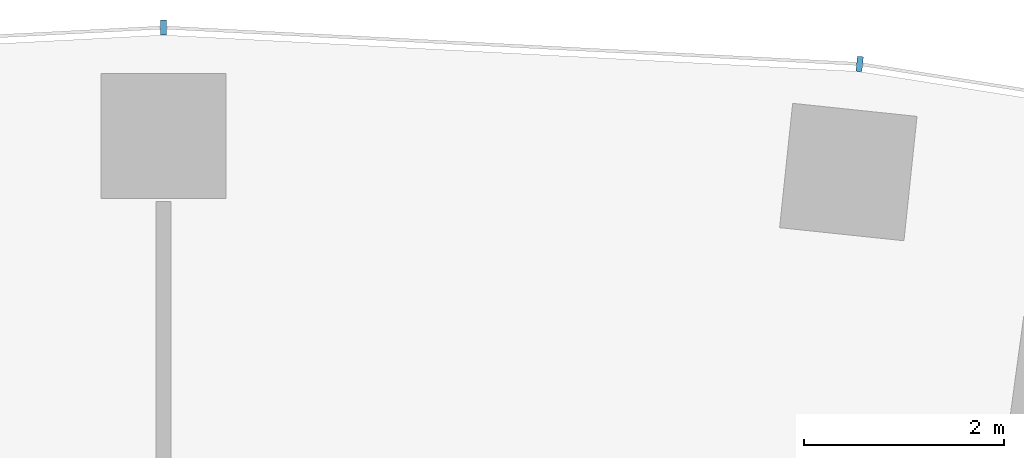
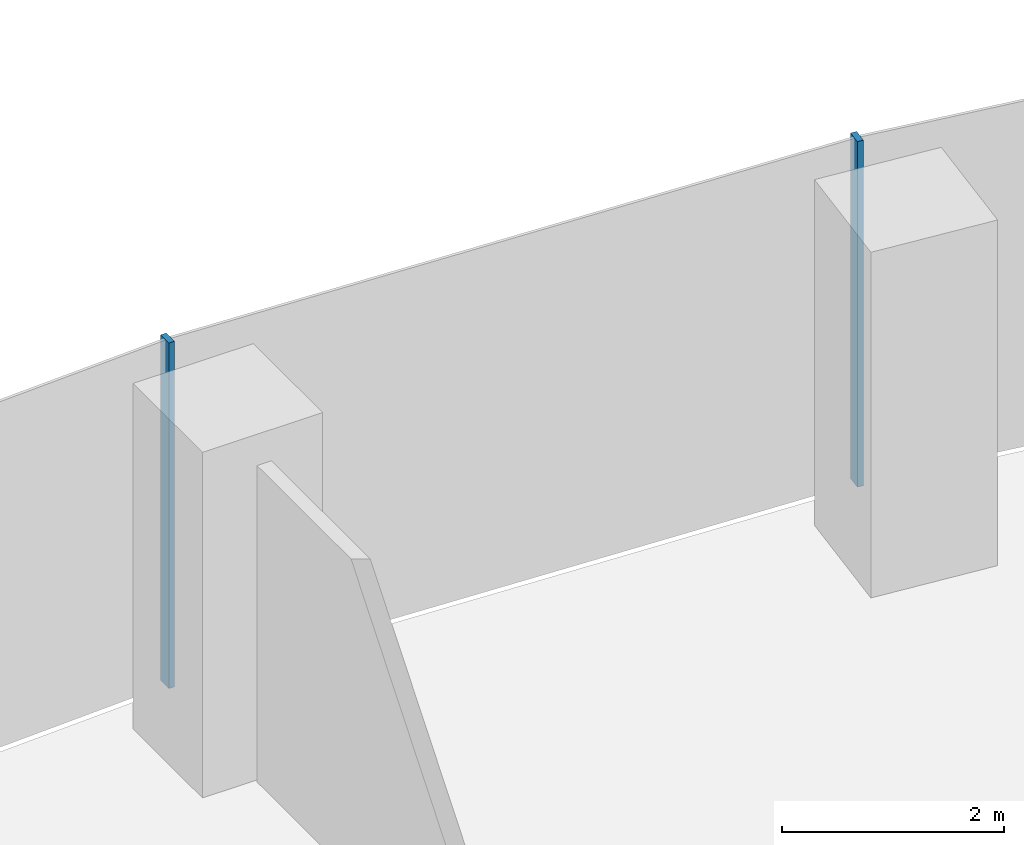
# One storey, part 7 of 21: 2 members, 1 element without a shape of its own.
"""IFC4 building model written with IfcOpenShell, lengths in metres."""

from ifc_helpers import new_model, si_unit, direction, frame, origin, origin_2d, place, context, subcontext, project, spatial, rectangle, extrude, material, layer, layer_set, material_profile, profile_set, type_object, element, aggregate, save


model = new_model("IFC4")

# Units and contexts
model_context = context("Model", 3, precision=1e-05, world=origin(), true_north=direction((0.0, 1.0)))
body_context = subcontext(model_context, "Body", "Model", "MODEL_VIEW")
ifc_project = project(units=[si_unit("LENGTHUNIT", "METRE"), si_unit("AREAUNIT", "SQUARE_METRE"), si_unit("VOLUMEUNIT", "CUBIC_METRE"), si_unit("PLANEANGLEUNIT", "RADIAN"), si_unit("MASSUNIT", "GRAM", prefix="KILO")], contexts=[model_context])

# Site, building, storey
site_placement = place(None, origin())
site = spatial("IfcSite", under=ifc_project, at=site_placement, CompositionType="ELEMENT")
building_placement = place(site_placement, origin())
building = spatial("IfcBuilding", under=site, at=building_placement, Name="Stone Belt Terrace Tower", CompositionType="ELEMENT")
storey_placement = place(building_placement, frame((0.0, 0.0, 49.0)))
storey = spatial("IfcBuildingStorey", under=building, at=storey_placement, Name="L11", CompositionType="ELEMENT", Elevation=49.0)

# Curtain wall, members
ifc_material = material(Name="Aluminium 6063-T6 anodised frame", Category="aluminium")
ifc_layer = layer(ifc_material, 0.14990234375)
ifc_layer_set = layer_set([ifc_layer], Name="CW-A unitised convex-face curtain wall")
curtain_wall_type = type_object("IfcCurtainWallType", Name="CW-A unitised convex-face curtain wall", PredefinedType="NOTDEFINED", material=ifc_layer_set)
curtain_wall_placement = place(storey_placement, origin())
curtain_wall = element("IfcCurtainWall", 1, at=curtain_wall_placement, inside=storey, type_object=curtain_wall_type, Name="CW-A convex face L11", PredefinedType="NOTDEFINED")
ifc_material_profile = material_profile(ifc_material, rectangle(XDim=0.14990234375, YDim=0.06005859375, at=origin_2d()), Name="Aluminium 6063-T6 60x150")
ifc_profile_set = profile_set([ifc_material_profile], Name="Aluminium 6063-T6 anodised frame")
member_type = type_object("IfcMemberType", Name="CW-A mullion 60 x 150", PredefinedType="MULLION", material=ifc_profile_set)
member_1_placement = place(storey_placement, frame((6.958984375, 66.21044921875, 0.0), z_axis=(0.0, 0.0, 1.0), x_axis=(-0.104528463268, -0.994521895368, 0.0)))
member_1 = element("IfcMember", 2, at=member_1_placement, type_object=member_type, Name="CW-A mullion 9", PredefinedType="MULLION", context=body_context, shape_type="SweptSolid", body=[
    extrude(rectangle(XDim=0.14990234375, YDim=0.06005859375, at=origin_2d()), origin(), (0.0, 0.0, 1.0), 3.800048828125),
])
member_2_placement = place(storey_placement, frame((0.0, 66.5751953125, 0.0), z_axis=(0.0, 0.0, 1.0), x_axis=(0.0, -1.0, 0.0)))
member_2 = element("IfcMember", 3, at=member_2_placement, type_object=member_type, Name="CW-A mullion 10", PredefinedType="MULLION", context=body_context, shape_type="SweptSolid", body=[
    extrude(rectangle(XDim=0.14990234375, YDim=0.06005859375, at=origin_2d()), origin(), (0.0, 0.0, 1.0), 3.800048828125),
])
aggregate(curtain_wall, [member_1, member_2])

save(model, "model.ifc")
